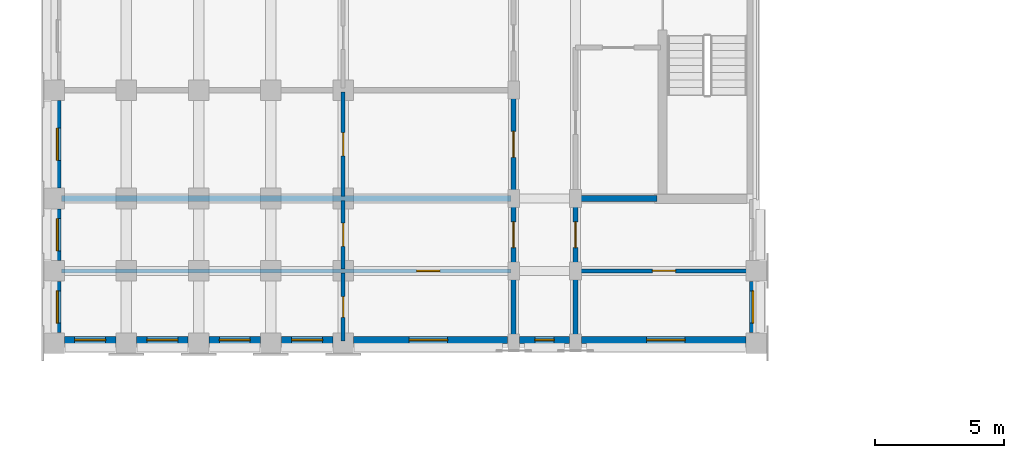
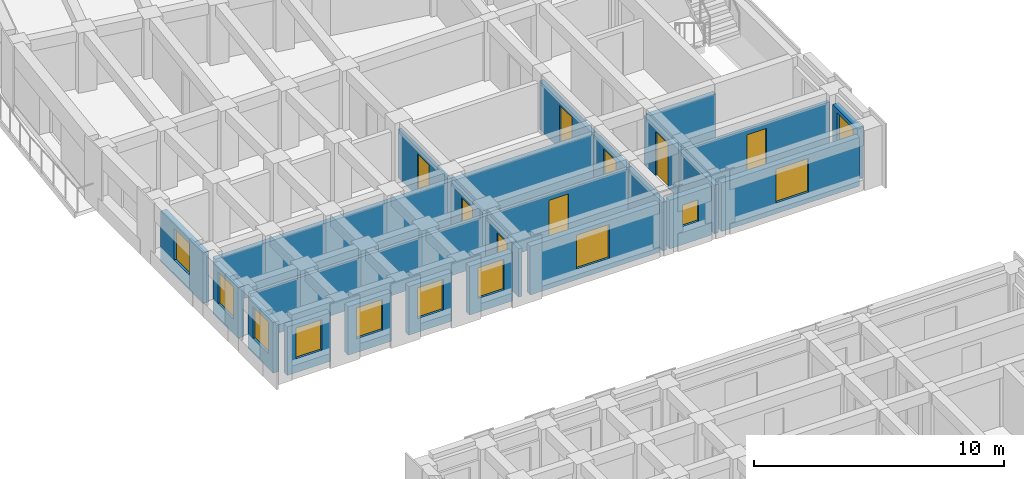
# One storey, part 22 of 54: 23 walls, 11 windows, 8 doors, 19 openings.
"""IFC4 building model written with IfcOpenShell, lengths in metres."""

from ifc_helpers import new_model, si_unit, direction, frame, frame_2d, origin, place, context, subcontext, project, spatial, rectangle, extrude, material, layer, layer_set, type_object, element, fill, save


model = new_model("IFC4")

# Units and contexts
model_context = context("Model", 3, precision=1e-05, world=origin(), true_north=direction((0.0, 1.0)))
body_context = subcontext(model_context, "Body", "Model", "MODEL_VIEW")
ifc_project = project(units=[si_unit("LENGTHUNIT", "METRE"), si_unit("AREAUNIT", "SQUARE_METRE"), si_unit("VOLUMEUNIT", "CUBIC_METRE"), si_unit("PLANEANGLEUNIT", "RADIAN"), si_unit("MASSUNIT", "GRAM", prefix="KILO")], contexts=[model_context])

# Site, building, storey
site_placement = place(None, origin())
site = spatial("IfcSite", under=ifc_project, at=site_placement, CompositionType="ELEMENT")
building_placement = place(site_placement, origin())
building = spatial("IfcBuilding", under=site, at=building_placement, Name="Kiranvali Square Residences", CompositionType="ELEMENT")
storey_placement = place(building_placement, frame((0.0, 0.0, 11.85009765625)))
storey = spatial("IfcBuildingStorey", under=building, at=storey_placement, Name="L03", CompositionType="ELEMENT", Elevation=11.85009765625)

# Wall, opening, door
ifc_material_1 = material(Name="Autoclaved aerated concrete blockwork masonry", Category="masonry")
ifc_layer_1 = layer(ifc_material_1, 0.199951171875)
ifc_layer_set_1 = layer_set([ifc_layer_1], Name="Autoclaved aerated concrete blockwork masonry")
wall_type_1 = type_object("IfcWallType", Name="WL-COR-200", PredefinedType="STANDARD", material=ifc_layer_set_1)
wall_1_placement = place(storey_placement, frame((20.0, 83.60009765625, 0.0), z_axis=(0.0, 0.0, 1.0), x_axis=(0.0, -1.0, 0.0)))
wall_1 = element("IfcWall", 1, at=wall_1_placement, inside=storey, type_object=wall_type_1, Name="L03 architectural wall WL-L03-A-A2CF-C1", PredefinedType="STANDARD", context=body_context, shape_type="SweptSolid", body=[
    extrude(rectangle(XDim=4.2001953125, YDim=0.199951171875, at=frame_2d((2.10009765625, 0.0))), origin(), (0.0, 0.0, 1.0), 2.371826171875),
])
opening_1_placement = place(wall_1_placement, frame((1.60009765625, 0.0, 0.0)))
opening_1 = element("IfcOpeningElement", 2, at=opening_1_placement, cuts=wall_1, Name="Opening FD-APT-60", PredefinedType="OPENING", context=body_context, shape_type="SweptSolid", body=[
    extrude(rectangle(XDim=1.0, YDim=2.14990234375, at=frame_2d((0.5, 1.074951171875))), frame((0.0, 0.10986328125, 0.0), z_axis=(0.0, -1.0, 0.0), x_axis=(1.0, 0.0, 0.0)), (0.0, 0.0, 1.0), 0.219970703125),
])
ifc_material_2 = material(Name="Fire-rated acoustic hardwood and mineral-core door assembly", Category="wood")
door_type_1 = type_object("IfcDoorType", Name="DR-APT-1000", OperationType="NOTDEFINED", PredefinedType="DOOR", material=ifc_material_2)
door_1_placement = place(opening_1_placement, origin())
door_1 = element("IfcDoor", 3, at=door_1_placement, inside=storey, type_object=door_type_1, Name="L03 door DR-L03-0267 (DR-APT-1000)", OperationType="SINGLE_SWING_LEFT", OverallHeight=2.14990234375, OverallWidth=1.0, PredefinedType="DOOR", context=body_context, shape_type="SweptSolid", body=[
    extrude(rectangle(XDim=1.0, YDim=2.14990234375, at=frame_2d((0.5, 1.074951171875))), frame((0.0, 0.02490234375, 0.0), z_axis=(0.0, -1.0, 0.0), x_axis=(1.0, 0.0, 0.0)), (0.0, 0.0, 1.0), 0.050048828125),
])
fill(opening_1, door_1)

wall_2_placement = place(storey_placement, frame((22.39990234375, 79.39990234375, 0.0), z_axis=(0.0, 0.0, 1.0), x_axis=(0.0, -1.0, 0.0)))
wall_2 = element("IfcWall", 4, at=wall_2_placement, inside=storey, type_object=wall_type_1, Name="L03 architectural wall WL-L03-A-A2CI-0", PredefinedType="STANDARD", context=body_context, shape_type="SweptSolid", body=[
    extrude(rectangle(XDim=2.7998046875, YDim=0.199951171875, at=frame_2d((1.39990234375, 0.0))), origin(), (0.0, 0.0, 1.0), 2.371826171875),
])
opening_2_placement = place(wall_2_placement, frame((0.89990234375, 0.0, 0.0)))
opening_2 = element("IfcOpeningElement", 5, at=opening_2_placement, cuts=wall_2, Name="Opening FD-APT-60", PredefinedType="OPENING", context=body_context, shape_type="SweptSolid", body=[
    extrude(rectangle(XDim=1.0, YDim=2.14990234375, at=frame_2d((0.5, 1.074951171875))), frame((0.0, 0.10986328125, 0.0), z_axis=(0.0, -1.0, 0.0), x_axis=(1.0, 0.0, 0.0)), (0.0, 0.0, 1.0), 0.219970703125),
])
door_2_placement = place(opening_2_placement, origin())
door_2 = element("IfcDoor", 6, at=door_2_placement, inside=storey, type_object=door_type_1, Name="L03 door DR-L03-0269 (DR-APT-1000)", OperationType="SINGLE_SWING_LEFT", OverallHeight=2.14990234375, OverallWidth=1.0, PredefinedType="DOOR", context=body_context, shape_type="SweptSolid", body=[
    extrude(rectangle(XDim=1.0, YDim=2.14990234375, at=frame_2d((0.5, 1.074951171875))), frame((0.0, 0.02490234375, 0.0), z_axis=(0.0, -1.0, 0.0), x_axis=(1.0, 0.0, 0.0)), (0.0, 0.0, 1.0), 0.050048828125),
])
fill(opening_2, door_2)

wall_3_placement = place(storey_placement, frame((20.0, 79.39990234375, 0.0), z_axis=(0.0, 0.0, 1.0), x_axis=(0.0, -1.0, 0.0)))
wall_3 = element("IfcWall", 7, at=wall_3_placement, inside=storey, type_object=wall_type_1, Name="L03 architectural wall WL-L03-A-A2CO-0", PredefinedType="STANDARD", context=body_context, shape_type="SweptSolid", body=[
    extrude(rectangle(XDim=2.7998046875, YDim=0.199951171875, at=frame_2d((1.39990234375, 0.0))), origin(), (0.0, 0.0, 1.0), 2.371826171875),
])
opening_3_placement = place(wall_3_placement, frame((0.89990234375, 0.0, 0.0)))
opening_3 = element("IfcOpeningElement", 8, at=opening_3_placement, cuts=wall_3, Name="Opening FD-APT-60", PredefinedType="OPENING", context=body_context, shape_type="SweptSolid", body=[
    extrude(rectangle(XDim=1.0, YDim=2.14990234375, at=frame_2d((0.5, 1.074951171875))), frame((0.0, 0.10986328125, 0.0), z_axis=(0.0, -1.0, 0.0), x_axis=(1.0, 0.0, 0.0)), (0.0, 0.0, 1.0), 0.219970703125),
])
door_3_placement = place(opening_3_placement, origin())
door_3 = element("IfcDoor", 9, at=door_3_placement, inside=storey, type_object=door_type_1, Name="L03 door DR-L03-0271 (DR-APT-1000)", OperationType="SINGLE_SWING_LEFT", OverallHeight=2.14990234375, OverallWidth=1.0, PredefinedType="DOOR", context=body_context, shape_type="SweptSolid", body=[
    extrude(rectangle(XDim=1.0, YDim=2.14990234375, at=frame_2d((0.5, 1.074951171875))), frame((0.0, 0.02490234375, 0.0), z_axis=(0.0, -1.0, 0.0), x_axis=(1.0, 0.0, 0.0)), (0.0, 0.0, 1.0), 0.050048828125),
])
fill(opening_3, door_3)

# Walls
for number, where, z_axis, x_axis, name in (
    (10, (22.39990234375, 76.60009765625, 0.0), (0.0, 0.0, 1.0), (0.0, -1.0, 0.0), "L03 architectural wall WL-L03-A-A2CI-1"),
    (11, (20.0, 76.60009765625, 0.0), (0.0, 0.0, 1.0), (0.0, -1.0, 0.0), "L03 architectural wall WL-L03-A-A2CO-1"),
):
    element("IfcWall", number, at=place(storey_placement, frame(where, z_axis=z_axis, x_axis=x_axis)), inside=storey, type_object=wall_type_1, Name=name, PredefinedType="STANDARD", context=body_context, shape_type="SweptSolid", body=[
        extrude(rectangle(XDim=2.800048828125, YDim=0.199951171875, at=frame_2d((1.39990234375, 0.0))), origin(), (0.0, 0.0, 1.0), 2.371826171875),
    ])
ifc_layer_2 = layer(ifc_material_1, 0.219970703125)
ifc_layer_set_2 = layer_set([ifc_layer_2], Name="Autoclaved aerated concrete blockwork masonry")
wall_type_2 = type_object("IfcWallType", Name="WL-DEM-220", PredefinedType="STANDARD", material=ifc_layer_set_2)
wall_4_placement = place(storey_placement, frame((25.550048828125, 79.39990234375, 0.0), z_axis=(0.0, 0.0, 1.0), x_axis=(-1.0, 0.0, 0.0)))
element("IfcWall", 12, at=wall_4_placement, inside=storey, type_object=wall_type_2, Name="L03 architectural wall WL-L03-A-A2TI-0", PredefinedType="STANDARD", context=body_context, shape_type="SweptSolid", body=[
    extrude(rectangle(XDim=3.10009765625, YDim=0.219970703125, at=frame_2d((1.550048828125, 0.0))), origin(), (0.0, 0.0, 1.0), 2.371826171875),
])
wall_5_placement = place(storey_placement, frame((19.89990234375, 79.39990234375, 0.0), z_axis=(0.0, 0.0, 1.0), x_axis=(-1.0, 0.0, 0.0)))
element("IfcWall", 13, at=wall_5_placement, inside=storey, type_object=wall_type_2, Name="L03 architectural wall WL-L03-A-A2TO-0", PredefinedType="STANDARD", context=body_context, shape_type="SweptSolid", body=[
    extrude(rectangle(XDim=17.419921875, YDim=0.219970703125, at=frame_2d((8.7099609375, 0.0))), origin(), (0.0, 0.0, 1.0), 2.371826171875),
])

# Wall, opening, window
ifc_material_3 = material(Name="Breathable lime-rendered clay brick masonry", Category="masonry")
ifc_layer_3 = layer(ifc_material_3, 0.27490234375)
ifc_layer_set_3 = layer_set([ifc_layer_3], Name="Breathable lime-rendered clay brick masonry")
wall_type_3 = type_object("IfcWallType", Name="WL-EXT-275", PredefinedType="STANDARD", material=ifc_layer_set_3)
wall_6_placement = place(storey_placement, frame((2.324951171875, 83.196533203125, 0.0), z_axis=(0.0, 0.0, 1.0), x_axis=(0.0, -1.0, 0.0)))
wall_6 = element("IfcWall", 14, at=wall_6_placement, inside=storey, type_object=wall_type_3, Name="L03 exterior wall A-L03-A2O-1", PredefinedType="STANDARD", context=body_context, shape_type="SweptSolid", body=[
    extrude(rectangle(XDim=3.39306640625, YDim=0.27490234375, at=frame_2d((1.696533203125, 0.0))), origin(), (0.0, 0.0, 1.0), 2.471923828125),
])
opening_4_placement = place(wall_6_placement, frame((1.071533203125, 0.0, 0.721923828125)))
opening_4 = element("IfcOpeningElement", 15, at=opening_4_placement, cuts=wall_6, Name="Opening W-19", PredefinedType="OPENING", context=body_context, shape_type="SweptSolid", body=[
    extrude(rectangle(XDim=1.25, YDim=1.550048828125, at=frame_2d((0.625, 0.77490234375))), frame((0.0, 0.1474609375, 0.0), z_axis=(0.0, -1.0, 0.0), x_axis=(1.0, 0.0, 0.0)), (0.0, 0.0, 1.0), 0.294921875),
])
ifc_material_4 = material(Name="Solar-control low-e double glazing", Category="glass")
window_type_1 = type_object("IfcWindowType", Name="WIN-GDN-1250x1550", PartitioningType="SINGLE_PANEL", PredefinedType="WINDOW", material=ifc_material_4)
window_1_placement = place(opening_4_placement, origin())
window_1 = element("IfcWindow", 16, at=window_1_placement, inside=storey, type_object=window_type_1, Name="L03 recessed window A-L03-A2O-1", OverallHeight=1.550048828125, OverallWidth=1.25, PartitioningType="SINGLE_PANEL", PredefinedType="WINDOW", context=body_context, shape_type="SweptSolid", body=[
    extrude(rectangle(XDim=1.25, YDim=1.550048828125, at=frame_2d((0.625, 0.77490234375))), frame((0.0, 0.030029296875, 0.0), z_axis=(0.0, -1.0, 0.0), x_axis=(1.0, 0.0, 0.0)), (0.0, 0.0, 1.0), 0.06005859375),
])
fill(opening_4, window_1)

wall_7_placement = place(storey_placement, frame((2.324951171875, 78.99658203125, 0.0), z_axis=(0.0, 0.0, 1.0), x_axis=(0.0, -1.0, 0.0)))
wall_7 = element("IfcWall", 17, at=wall_7_placement, inside=storey, type_object=wall_type_3, Name="L03 exterior wall A-L03-A2O-2", PredefinedType="STANDARD", context=body_context, shape_type="SweptSolid", body=[
    extrude(rectangle(XDim=1.9931640625, YDim=0.27490234375, at=frame_2d((0.99658203125, 0.0))), origin(), (0.0, 0.0, 1.0), 2.471923828125),
])
opening_5_placement = place(wall_7_placement, frame((0.37158203125, 0.0, 0.721923828125)))
opening_5 = element("IfcOpeningElement", 18, at=opening_5_placement, cuts=wall_7, Name="Opening W-19", PredefinedType="OPENING", context=body_context, shape_type="SweptSolid", body=[
    extrude(rectangle(XDim=1.25, YDim=1.550048828125, at=frame_2d((0.625, 0.77490234375))), frame((0.0, 0.1474609375, 0.0), z_axis=(0.0, -1.0, 0.0), x_axis=(1.0, 0.0, 0.0)), (0.0, 0.0, 1.0), 0.294921875),
])
window_2_placement = place(opening_5_placement, origin())
window_2 = element("IfcWindow", 19, at=window_2_placement, inside=storey, type_object=window_type_1, Name="L03 recessed window A-L03-A2O-2", OverallHeight=1.550048828125, OverallWidth=1.25, PartitioningType="SINGLE_PANEL", PredefinedType="WINDOW", context=body_context, shape_type="SweptSolid", body=[
    extrude(rectangle(XDim=1.25, YDim=1.550048828125, at=frame_2d((0.625, 0.77490234375))), frame((0.0, 0.030029296875, 0.0), z_axis=(0.0, -1.0, 0.0), x_axis=(1.0, 0.0, 0.0)), (0.0, 0.0, 1.0), 0.06005859375),
])
fill(opening_5, window_2)

wall_8_placement = place(storey_placement, frame((2.324951171875, 76.196533203125, 0.0), z_axis=(0.0, 0.0, 1.0), x_axis=(0.0, -1.0, 0.0)))
wall_8 = element("IfcWall", 20, at=wall_8_placement, inside=storey, type_object=wall_type_3, Name="L03 exterior wall A-L03-A2O-3", PredefinedType="STANDARD", context=body_context, shape_type="SweptSolid", body=[
    extrude(rectangle(XDim=1.992919921875, YDim=0.27490234375, at=frame_2d((0.99658203125, 0.0))), origin(), (0.0, 0.0, 1.0), 2.471923828125),
])
opening_6_placement = place(wall_8_placement, frame((0.37158203125, 0.0, 0.721923828125)))
opening_6 = element("IfcOpeningElement", 21, at=opening_6_placement, cuts=wall_8, Name="Opening W-19", PredefinedType="OPENING", context=body_context, shape_type="SweptSolid", body=[
    extrude(rectangle(XDim=1.25, YDim=1.550048828125, at=frame_2d((0.625, 0.77490234375))), frame((0.0, 0.1474609375, 0.0), z_axis=(0.0, -1.0, 0.0), x_axis=(1.0, 0.0, 0.0)), (0.0, 0.0, 1.0), 0.294921875),
])
window_3_placement = place(opening_6_placement, origin())
window_3 = element("IfcWindow", 22, at=window_3_placement, inside=storey, type_object=window_type_1, Name="L03 recessed window A-L03-A2O-3", OverallHeight=1.550048828125, OverallWidth=1.25, PartitioningType="SINGLE_PANEL", PredefinedType="WINDOW", context=body_context, shape_type="SweptSolid", body=[
    extrude(rectangle(XDim=1.25, YDim=1.550048828125, at=frame_2d((0.625, 0.77490234375))), frame((0.0, 0.030029296875, 0.0), z_axis=(0.0, -1.0, 0.0), x_axis=(1.0, 0.0, 0.0)), (0.0, 0.0, 1.0), 0.06005859375),
])
fill(opening_6, window_3)

wall_9_placement = place(storey_placement, frame((29.27490234375, 76.196533203125, 0.0), z_axis=(0.0, 0.0, 1.0), x_axis=(0.0, -1.0, 0.0)))
wall_9 = element("IfcWall", 23, at=wall_9_placement, inside=storey, type_object=wall_type_3, Name="L03 exterior wall A-L03-A2I-1", PredefinedType="STANDARD", context=body_context, shape_type="SweptSolid", body=[
    extrude(rectangle(XDim=1.992919921875, YDim=0.27490234375, at=frame_2d((0.99658203125, 0.0))), origin(), (0.0, 0.0, 1.0), 2.471923828125),
])
opening_7_placement = place(wall_9_placement, frame((0.37158203125, 0.0, 0.721923828125)))
opening_7 = element("IfcOpeningElement", 24, at=opening_7_placement, cuts=wall_9, Name="Opening W-19", PredefinedType="OPENING", context=body_context, shape_type="SweptSolid", body=[
    extrude(rectangle(XDim=1.25, YDim=1.550048828125, at=frame_2d((0.625, 0.77490234375))), frame((0.0, 0.1474609375, 0.0), z_axis=(0.0, -1.0, 0.0), x_axis=(1.0, 0.0, 0.0)), (0.0, 0.0, 1.0), 0.294921875),
])
window_4_placement = place(opening_7_placement, origin())
window_4 = element("IfcWindow", 25, at=window_4_placement, inside=storey, type_object=window_type_1, Name="L03 recessed window A-L03-A2I-1", OverallHeight=1.550048828125, OverallWidth=1.25, PartitioningType="SINGLE_PANEL", PredefinedType="WINDOW", context=body_context, shape_type="SweptSolid", body=[
    extrude(rectangle(XDim=1.25, YDim=1.550048828125, at=frame_2d((0.625, 0.77490234375))), frame((0.0, 0.030029296875, 0.0), z_axis=(0.0, -1.0, 0.0), x_axis=(1.0, 0.0, 0.0)), (0.0, 0.0, 1.0), 0.06005859375),
])
fill(opening_7, window_4)

wall_10_placement = place(storey_placement, frame((28.99658203125, 73.925048828125, 0.0), z_axis=(0.0, 0.0, 1.0), x_axis=(-1.0, 0.0, 0.0)))
wall_10 = element("IfcWall", 26, at=wall_10_placement, inside=storey, type_object=wall_type_3, Name="L03 exterior wall A-L03-A2END-0", PredefinedType="STANDARD", context=body_context, shape_type="SweptSolid", body=[
    extrude(rectangle(XDim=6.3681640625, YDim=0.27490234375, at=frame_2d((3.18408203125, 0.0))), origin(), (0.0, 0.0, 1.0), 2.371826171875),
])
opening_8_placement = place(wall_10_placement, frame((2.346435546875, 0.0, 0.52197265625)))
opening_8 = element("IfcOpeningElement", 27, at=opening_8_placement, cuts=wall_10, Name="Opening W-05", PredefinedType="OPENING", context=body_context, shape_type="SweptSolid", body=[
    extrude(rectangle(XDim=1.5, YDim=1.64990234375, at=frame_2d((0.75, 0.824951171875))), frame((0.0, 0.1474609375, 0.0), z_axis=(0.0, -1.0, 0.0), x_axis=(1.0, 0.0, 0.0)), (0.0, 0.0, 1.0), 0.294921875),
])
window_type_2 = type_object("IfcWindowType", Name="WIN-RES-1500x1650", PartitioningType="DOUBLE_PANEL_VERTICAL", PredefinedType="WINDOW", material=ifc_material_4)
window_5_placement = place(opening_8_placement, origin())
window_5 = element("IfcWindow", 28, at=window_5_placement, inside=storey, type_object=window_type_2, Name="L03 recessed window A-L03-A2END-0", OverallHeight=1.64990234375, OverallWidth=1.5, PartitioningType="DOUBLE_PANEL_VERTICAL", PredefinedType="WINDOW", context=body_context, shape_type="SweptSolid", body=[
    extrude(rectangle(XDim=1.5, YDim=1.64990234375, at=frame_2d((0.75, 0.824951171875))), frame((0.0, 0.030029296875, 0.0), z_axis=(0.0, -1.0, 0.0), x_axis=(1.0, 0.0, 0.0)), (0.0, 0.0, 1.0), 0.06005859375),
])
fill(opening_8, window_5)

wall_11_placement = place(storey_placement, frame((22.17138671875, 73.925048828125, 0.0), z_axis=(0.0, 0.0, 1.0), x_axis=(-1.0, 0.0, 0.0)))
wall_11 = element("IfcWall", 29, at=wall_11_placement, inside=storey, type_object=wall_type_3, Name="L03 exterior wall A-L03-A2END-1", PredefinedType="STANDARD", context=body_context, shape_type="SweptSolid", body=[
    extrude(rectangle(XDim=1.94287109375, YDim=0.27490234375, at=frame_2d((0.971435546875, 0.0))), origin(), (0.0, 0.0, 1.0), 2.371826171875),
])
opening_9_placement = place(wall_11_placement, frame((0.596435546875, 0.0, 0.8798828125)))
opening_9 = element("IfcOpeningElement", 30, at=opening_9_placement, cuts=wall_11, Name="Opening W-07", PredefinedType="OPENING", context=body_context, shape_type="SweptSolid", body=[
    extrude(rectangle(XDim=0.75, YDim=1.050048828125, at=frame_2d((0.375, 0.52490234375))), frame((0.0, 0.1474609375, 0.0), z_axis=(0.0, -1.0, 0.0), x_axis=(1.0, 0.0, 0.0)), (0.0, 0.0, 1.0), 0.294921875),
])
window_type_3 = type_object("IfcWindowType", Name="WIN-WET-750x1050", PartitioningType="SINGLE_PANEL", PredefinedType="WINDOW", material=ifc_material_4)
window_6_placement = place(opening_9_placement, origin())
window_6 = element("IfcWindow", 31, at=window_6_placement, inside=storey, type_object=window_type_3, Name="L03 recessed window A-L03-A2END-1", OverallHeight=1.050048828125, OverallWidth=0.75, PartitioningType="SINGLE_PANEL", PredefinedType="WINDOW", context=body_context, shape_type="SweptSolid", body=[
    extrude(rectangle(XDim=0.75, YDim=1.050048828125, at=frame_2d((0.375, 0.52490234375))), frame((0.0, 0.030029296875, 0.0), z_axis=(0.0, -1.0, 0.0), x_axis=(1.0, 0.0, 0.0)), (0.0, 0.0, 1.0), 0.06005859375),
])
fill(opening_9, window_6)

wall_12_placement = place(storey_placement, frame((19.771484375, 73.925048828125, 0.0), z_axis=(0.0, 0.0, 1.0), x_axis=(-1.0, 0.0, 0.0)))
wall_12 = element("IfcWall", 32, at=wall_12_placement, inside=storey, type_object=wall_type_3, Name="L03 exterior wall A-L03-A2END-2", PredefinedType="STANDARD", context=body_context, shape_type="SweptSolid", body=[
    extrude(rectangle(XDim=5.968017578125, YDim=0.27490234375, at=frame_2d((2.98388671875, 0.0))), origin(), (0.0, 0.0, 1.0), 2.371826171875),
])
opening_10_placement = place(wall_12_placement, frame((2.321533203125, 0.0, 0.52197265625)))
opening_10 = element("IfcOpeningElement", 33, at=opening_10_placement, cuts=wall_12, Name="Opening W-05", PredefinedType="OPENING", context=body_context, shape_type="SweptSolid", body=[
    extrude(rectangle(XDim=1.5, YDim=1.64990234375, at=frame_2d((0.75, 0.824951171875))), frame((0.0, 0.1474609375, 0.0), z_axis=(0.0, -1.0, 0.0), x_axis=(1.0, 0.0, 0.0)), (0.0, 0.0, 1.0), 0.294921875),
])
window_7_placement = place(opening_10_placement, origin())
window_7 = element("IfcWindow", 34, at=window_7_placement, inside=storey, type_object=window_type_2, Name="L03 recessed window A-L03-A2END-2", OverallHeight=1.64990234375, OverallWidth=1.5, PartitioningType="DOUBLE_PANEL_VERTICAL", PredefinedType="WINDOW", context=body_context, shape_type="SweptSolid", body=[
    extrude(rectangle(XDim=1.5, YDim=1.64990234375, at=frame_2d((0.75, 0.824951171875))), frame((0.0, 0.030029296875, 0.0), z_axis=(0.0, -1.0, 0.0), x_axis=(1.0, 0.0, 0.0)), (0.0, 0.0, 1.0), 0.06005859375),
])
fill(opening_10, window_7)

wall_13_placement = place(storey_placement, frame((12.99658203125, 73.925048828125, 0.0), z_axis=(0.0, 0.0, 1.0), x_axis=(-1.0, 0.0, 0.0)))
wall_13 = element("IfcWall", 35, at=wall_13_placement, inside=storey, type_object=wall_type_3, Name="L03 exterior wall A-L03-A2END-3", PredefinedType="STANDARD", context=body_context, shape_type="SweptSolid", body=[
    extrude(rectangle(XDim=1.9931640625, YDim=0.27490234375, at=frame_2d((0.99658203125, 0.0))), origin(), (0.0, 0.0, 1.0), 2.371826171875),
])
opening_11_placement = place(wall_13_placement, frame((0.396484375, 0.0, 0.672119140625)))
opening_11 = element("IfcOpeningElement", 36, at=opening_11_placement, cuts=wall_13, Name="Opening W-06", PredefinedType="OPENING", context=body_context, shape_type="SweptSolid", body=[
    extrude(rectangle(XDim=1.199951171875, YDim=1.5, at=frame_2d((0.60009765625, 0.75))), frame((0.0, 0.1474609375, 0.0), z_axis=(0.0, -1.0, 0.0), x_axis=(1.0, 0.0, 0.0)), (0.0, 0.0, 1.0), 0.294921875),
])
window_type_4 = type_object("IfcWindowType", Name="WIN-RES-1200x1500", PartitioningType="SINGLE_PANEL", PredefinedType="WINDOW", material=ifc_material_4)
window_8_placement = place(opening_11_placement, origin())
window_8 = element("IfcWindow", 37, at=window_8_placement, inside=storey, type_object=window_type_4, Name="L03 recessed window A-L03-A2END-3", OverallHeight=1.5, OverallWidth=1.199951171875, PartitioningType="SINGLE_PANEL", PredefinedType="WINDOW", context=body_context, shape_type="SweptSolid", body=[
    extrude(rectangle(XDim=1.199951171875, YDim=1.5, at=frame_2d((0.60009765625, 0.75))), frame((0.0, 0.030029296875, 0.0), z_axis=(0.0, -1.0, 0.0), x_axis=(1.0, 0.0, 0.0)), (0.0, 0.0, 1.0), 0.06005859375),
])
fill(opening_11, window_8)

wall_14_placement = place(storey_placement, frame((10.196533203125, 73.925048828125, 0.0), z_axis=(0.0, 0.0, 1.0), x_axis=(-1.0, 0.0, 0.0)))
wall_14 = element("IfcWall", 38, at=wall_14_placement, inside=storey, type_object=wall_type_3, Name="L03 exterior wall A-L03-A2END-4", PredefinedType="STANDARD", context=body_context, shape_type="SweptSolid", body=[
    extrude(rectangle(XDim=1.992919921875, YDim=0.27490234375, at=frame_2d((0.99658203125, 0.0))), origin(), (0.0, 0.0, 1.0), 2.371826171875),
])
opening_12_placement = place(wall_14_placement, frame((0.396484375, 0.0, 0.672119140625)))
opening_12 = element("IfcOpeningElement", 39, at=opening_12_placement, cuts=wall_14, Name="Opening W-06", PredefinedType="OPENING", context=body_context, shape_type="SweptSolid", body=[
    extrude(rectangle(XDim=1.199951171875, YDim=1.5, at=frame_2d((0.60009765625, 0.75))), frame((0.0, 0.1474609375, 0.0), z_axis=(0.0, -1.0, 0.0), x_axis=(1.0, 0.0, 0.0)), (0.0, 0.0, 1.0), 0.294921875),
])
window_9_placement = place(opening_12_placement, origin())
window_9 = element("IfcWindow", 40, at=window_9_placement, inside=storey, type_object=window_type_4, Name="L03 recessed window A-L03-A2END-4", OverallHeight=1.5, OverallWidth=1.199951171875, PartitioningType="SINGLE_PANEL", PredefinedType="WINDOW", context=body_context, shape_type="SweptSolid", body=[
    extrude(rectangle(XDim=1.199951171875, YDim=1.5, at=frame_2d((0.60009765625, 0.75))), frame((0.0, 0.030029296875, 0.0), z_axis=(0.0, -1.0, 0.0), x_axis=(1.0, 0.0, 0.0)), (0.0, 0.0, 1.0), 0.06005859375),
])
fill(opening_12, window_9)

wall_15_placement = place(storey_placement, frame((7.396484375, 73.925048828125, 0.0), z_axis=(0.0, 0.0, 1.0), x_axis=(-1.0, 0.0, 0.0)))
wall_15 = element("IfcWall", 41, at=wall_15_placement, inside=storey, type_object=wall_type_3, Name="L03 exterior wall A-L03-A2END-5", PredefinedType="STANDARD", context=body_context, shape_type="SweptSolid", body=[
    extrude(rectangle(XDim=1.992919921875, YDim=0.27490234375, at=frame_2d((0.99658203125, 0.0))), origin(), (0.0, 0.0, 1.0), 2.371826171875),
])
opening_13_placement = place(wall_15_placement, frame((0.396484375, 0.0, 0.672119140625)))
opening_13 = element("IfcOpeningElement", 42, at=opening_13_placement, cuts=wall_15, Name="Opening W-06", PredefinedType="OPENING", context=body_context, shape_type="SweptSolid", body=[
    extrude(rectangle(XDim=1.199951171875, YDim=1.5, at=frame_2d((0.60009765625, 0.75))), frame((0.0, 0.1474609375, 0.0), z_axis=(0.0, -1.0, 0.0), x_axis=(1.0, 0.0, 0.0)), (0.0, 0.0, 1.0), 0.294921875),
])
window_10_placement = place(opening_13_placement, origin())
window_10 = element("IfcWindow", 43, at=window_10_placement, inside=storey, type_object=window_type_4, Name="L03 recessed window A-L03-A2END-5", OverallHeight=1.5, OverallWidth=1.199951171875, PartitioningType="SINGLE_PANEL", PredefinedType="WINDOW", context=body_context, shape_type="SweptSolid", body=[
    extrude(rectangle(XDim=1.199951171875, YDim=1.5, at=frame_2d((0.60009765625, 0.75))), frame((0.0, 0.030029296875, 0.0), z_axis=(0.0, -1.0, 0.0), x_axis=(1.0, 0.0, 0.0)), (0.0, 0.0, 1.0), 0.06005859375),
])
fill(opening_13, window_10)

wall_16_placement = place(storey_placement, frame((4.596435546875, 73.925048828125, 0.0), z_axis=(0.0, 0.0, 1.0), x_axis=(-1.0, 0.0, 0.0)))
wall_16 = element("IfcWall", 44, at=wall_16_placement, inside=storey, type_object=wall_type_3, Name="L03 exterior wall A-L03-A2END-6", PredefinedType="STANDARD", context=body_context, shape_type="SweptSolid", body=[
    extrude(rectangle(XDim=1.992919921875, YDim=0.27490234375, at=frame_2d((0.99658203125, 0.0))), origin(), (0.0, 0.0, 1.0), 2.371826171875),
])
opening_14_placement = place(wall_16_placement, frame((0.396484375, 0.0, 0.672119140625)))
opening_14 = element("IfcOpeningElement", 45, at=opening_14_placement, cuts=wall_16, Name="Opening W-06", PredefinedType="OPENING", context=body_context, shape_type="SweptSolid", body=[
    extrude(rectangle(XDim=1.199951171875, YDim=1.5, at=frame_2d((0.60009765625, 0.75))), frame((0.0, 0.1474609375, 0.0), z_axis=(0.0, -1.0, 0.0), x_axis=(1.0, 0.0, 0.0)), (0.0, 0.0, 1.0), 0.294921875),
])
window_11_placement = place(opening_14_placement, origin())
window_11 = element("IfcWindow", 46, at=window_11_placement, inside=storey, type_object=window_type_4, Name="L03 recessed window A-L03-A2END-6", OverallHeight=1.5, OverallWidth=1.199951171875, PartitioningType="SINGLE_PANEL", PredefinedType="WINDOW", context=body_context, shape_type="SweptSolid", body=[
    extrude(rectangle(XDim=1.199951171875, YDim=1.5, at=frame_2d((0.60009765625, 0.75))), frame((0.0, 0.030029296875, 0.0), z_axis=(0.0, -1.0, 0.0), x_axis=(1.0, 0.0, 0.0)), (0.0, 0.0, 1.0), 0.06005859375),
])
fill(opening_14, window_11)

# Wall, opening, door
ifc_material_5 = material(Name="Acoustic gypsum board drylined partition", Category="gypsum")
ifc_layer_4 = layer(ifc_material_5, 0.14990234375)
ifc_layer_set_4 = layer_set([ifc_layer_4], Name="Acoustic gypsum board drylined partition")
wall_type_4 = type_object("IfcWallType", Name="WL-PRT-150", PredefinedType="PARTITIONING", material=ifc_layer_set_4)
wall_17_placement = place(storey_placement, frame((13.39990234375, 83.52001953125, 0.0), z_axis=(0.0, 0.0, 1.0), x_axis=(0.0, -1.0, 0.0)))
wall_17 = element("IfcWall", 47, at=wall_17_placement, inside=storey, type_object=wall_type_4, Name="L03 architectural wall WL-L03-A-A2CF-SP1", PredefinedType="PARTITIONING", context=body_context, shape_type="SweptSolid", body=[
    extrude(rectangle(XDim=4.0400390625, YDim=0.14990234375, at=frame_2d((2.02001953125, 0.0))), origin(), (0.0, 0.0, 1.0), 2.371826171875),
])
opening_15_placement = place(wall_17_placement, frame((1.570068359375, 0.0, 0.0)))
opening_15 = element("IfcOpeningElement", 48, at=opening_15_placement, cuts=wall_17, Name="Opening ID-1", PredefinedType="OPENING", context=body_context, shape_type="SweptSolid", body=[
    extrude(rectangle(XDim=0.89990234375, YDim=2.10009765625, at=frame_2d((0.449951171875, 1.050048828125))), frame((0.0, 0.0849609375, 0.0), z_axis=(0.0, -1.0, 0.0), x_axis=(1.0, 0.0, 0.0)), (0.0, 0.0, 1.0), 0.169921875),
])
ifc_material_6 = material(Name="Solid seasoned teak hardwood joinery", Category="wood")
door_type_2 = type_object("IfcDoorType", Name="DR-INT-900", OperationType="NOTDEFINED", PredefinedType="DOOR", material=ifc_material_6)
door_4_placement = place(opening_15_placement, frame((0.89990234375, 0.0, 0.0), z_axis=(0.0, 0.0, 1.0), x_axis=(-1.0, 0.0, 0.0)))
door_4 = element("IfcDoor", 49, at=door_4_placement, inside=storey, type_object=door_type_2, Name="L03 door DR-L03-0268 (DR-INT-900)", OperationType="SINGLE_SWING_RIGHT", OverallHeight=2.10009765625, OverallWidth=0.89990234375, PredefinedType="DOOR", context=body_context, shape_type="SweptSolid", body=[
    extrude(rectangle(XDim=0.89990234375, YDim=2.10009765625, at=frame_2d((0.449951171875, 1.050048828125))), frame((0.0, 0.02490234375, 0.0), z_axis=(0.0, -1.0, 0.0), x_axis=(1.0, 0.0, 0.0)), (0.0, 0.0, 1.0), 0.050048828125),
])
fill(opening_15, door_4)

wall_18_placement = place(storey_placement, frame((29.199951171875, 76.60009765625, 0.0), z_axis=(0.0, 0.0, 1.0), x_axis=(-1.0, 0.0, 0.0)))
wall_18 = element("IfcWall", 50, at=wall_18_placement, inside=storey, type_object=wall_type_4, Name="L03 architectural wall WL-L03-A-A2TI-1", PredefinedType="PARTITIONING", context=body_context, shape_type="SweptSolid", body=[
    extrude(rectangle(XDim=6.75, YDim=0.14990234375, at=frame_2d((3.375, 0.0))), origin(), (0.0, 0.0, 1.0), 2.371826171875),
])
opening_16_placement = place(wall_18_placement, frame((2.925048828125, 0.0, 0.0)))
opening_16 = element("IfcOpeningElement", 51, at=opening_16_placement, cuts=wall_18, Name="Opening ID-1", PredefinedType="OPENING", context=body_context, shape_type="SweptSolid", body=[
    extrude(rectangle(XDim=0.89990234375, YDim=2.10009765625, at=frame_2d((0.449951171875, 1.050048828125))), frame((0.0, 0.0849609375, 0.0), z_axis=(0.0, -1.0, 0.0), x_axis=(1.0, 0.0, 0.0)), (0.0, 0.0, 1.0), 0.169921875),
])
door_5_placement = place(opening_16_placement, origin())
door_5 = element("IfcDoor", 52, at=door_5_placement, inside=storey, type_object=door_type_2, Name="L03 door DR-L03-0273 (DR-INT-900)", OperationType="SINGLE_SWING_LEFT", OverallHeight=2.10009765625, OverallWidth=0.89990234375, PredefinedType="DOOR", context=body_context, shape_type="SweptSolid", body=[
    extrude(rectangle(XDim=0.89990234375, YDim=2.10009765625, at=frame_2d((0.449951171875, 1.050048828125))), frame((0.0, 0.02490234375, 0.0), z_axis=(0.0, -1.0, 0.0), x_axis=(1.0, 0.0, 0.0)), (0.0, 0.0, 1.0), 0.050048828125),
])
fill(opening_16, door_5)

wall_19_placement = place(storey_placement, frame((19.89990234375, 76.60009765625, 0.0), z_axis=(0.0, 0.0, 1.0), x_axis=(-1.0, 0.0, 0.0)))
wall_19 = element("IfcWall", 53, at=wall_19_placement, inside=storey, type_object=wall_type_4, Name="L03 architectural wall WL-L03-A-A2TO-1", PredefinedType="PARTITIONING", context=body_context, shape_type="SweptSolid", body=[
    extrude(rectangle(XDim=17.419921875, YDim=0.14990234375, at=frame_2d((8.7099609375, 0.0))), origin(), (0.0, 0.0, 1.0), 2.371826171875),
])
opening_17_placement = place(wall_19_placement, frame((2.75, 0.0, 0.0)))
opening_17 = element("IfcOpeningElement", 54, at=opening_17_placement, cuts=wall_19, Name="Opening ID-1", PredefinedType="OPENING", context=body_context, shape_type="SweptSolid", body=[
    extrude(rectangle(XDim=0.89990234375, YDim=2.10009765625, at=frame_2d((0.449951171875, 1.050048828125))), frame((0.0, 0.0849609375, 0.0), z_axis=(0.0, -1.0, 0.0), x_axis=(1.0, 0.0, 0.0)), (0.0, 0.0, 1.0), 0.169921875),
])
door_6_placement = place(opening_17_placement, frame((0.89990234375, 0.0, 0.0), z_axis=(0.0, 0.0, 1.0), x_axis=(-1.0, 0.0, 0.0)))
door_6 = element("IfcDoor", 55, at=door_6_placement, inside=storey, type_object=door_type_2, Name="L03 door DR-L03-0274 (DR-INT-900)", OperationType="SINGLE_SWING_RIGHT", OverallHeight=2.10009765625, OverallWidth=0.89990234375, PredefinedType="DOOR", context=body_context, shape_type="SweptSolid", body=[
    extrude(rectangle(XDim=0.89990234375, YDim=2.10009765625, at=frame_2d((0.449951171875, 1.050048828125))), frame((0.0, 0.02490234375, 0.0), z_axis=(0.0, -1.0, 0.0), x_axis=(1.0, 0.0, 0.0)), (0.0, 0.0, 1.0), 0.050048828125),
])
fill(opening_17, door_6)

ifc_layer_5 = layer(ifc_material_1, 0.14990234375)
ifc_layer_set_5 = layer_set([ifc_layer_5], Name="Autoclaved aerated concrete blockwork masonry")
wall_type_5 = type_object("IfcWallType", Name="WL-WET-150", PredefinedType="PLUMBINGWALL", material=ifc_layer_set_5)
wall_20_placement = place(storey_placement, frame((13.39990234375, 79.320068359375, 0.0), z_axis=(0.0, 0.0, 1.0), x_axis=(0.0, -1.0, 0.0)))
wall_20 = element("IfcWall", 56, at=wall_20_placement, inside=storey, type_object=wall_type_5, Name="L03 architectural wall WL-L03-A-A2SP-0", PredefinedType="PLUMBINGWALL", context=body_context, shape_type="SweptSolid", body=[
    extrude(rectangle(XDim=2.64013671875, YDim=0.14990234375, at=frame_2d((1.320068359375, 0.0))), origin(), (0.0, 0.0, 1.0), 2.371826171875),
])
opening_18_placement = place(wall_20_placement, frame((0.8701171875, 0.0, 0.0)))
opening_18 = element("IfcOpeningElement", 57, at=opening_18_placement, cuts=wall_20, Name="Opening ID-1", PredefinedType="OPENING", context=body_context, shape_type="SweptSolid", body=[
    extrude(rectangle(XDim=0.89990234375, YDim=2.10009765625, at=frame_2d((0.449951171875, 1.050048828125))), frame((0.0, 0.0849609375, 0.0), z_axis=(0.0, -1.0, 0.0), x_axis=(1.0, 0.0, 0.0)), (0.0, 0.0, 1.0), 0.169921875),
])
door_7_placement = place(opening_18_placement, frame((0.89990234375, 0.0, 0.0), z_axis=(0.0, 0.0, 1.0), x_axis=(-1.0, 0.0, 0.0)))
door_7 = element("IfcDoor", 58, at=door_7_placement, inside=storey, type_object=door_type_2, Name="L03 door DR-L03-0270 (DR-INT-900)", OperationType="SINGLE_SWING_RIGHT", OverallHeight=2.10009765625, OverallWidth=0.89990234375, PredefinedType="DOOR", context=body_context, shape_type="SweptSolid", body=[
    extrude(rectangle(XDim=0.89990234375, YDim=2.10009765625, at=frame_2d((0.449951171875, 1.050048828125))), frame((0.0, 0.02490234375, 0.0), z_axis=(0.0, -1.0, 0.0), x_axis=(1.0, 0.0, 0.0)), (0.0, 0.0, 1.0), 0.050048828125),
])
fill(opening_18, door_7)

wall_21_placement = place(storey_placement, frame((13.39990234375, 76.52001953125, 0.0), z_axis=(0.0, 0.0, 1.0), x_axis=(0.0, -1.0, 0.0)))
wall_21 = element("IfcWall", 59, at=wall_21_placement, inside=storey, type_object=wall_type_5, Name="L03 architectural wall WL-L03-A-A2SP-1", PredefinedType="PLUMBINGWALL", context=body_context, shape_type="SweptSolid", body=[
    extrude(rectangle(XDim=2.64013671875, YDim=0.14990234375, at=frame_2d((1.320068359375, 0.0))), origin(), (0.0, 0.0, 1.0), 2.371826171875),
])
opening_19_placement = place(wall_21_placement, frame((0.919921875, 0.0, 0.0)))
opening_19 = element("IfcOpeningElement", 60, at=opening_19_placement, cuts=wall_21, Name="Opening ID-WET", PredefinedType="OPENING", context=body_context, shape_type="SweptSolid", body=[
    extrude(rectangle(XDim=0.800048828125, YDim=2.10009765625, at=frame_2d((0.39990234375, 1.050048828125))), frame((0.0, 0.0849609375, 0.0), z_axis=(0.0, -1.0, 0.0), x_axis=(1.0, 0.0, 0.0)), (0.0, 0.0, 1.0), 0.169921875),
])
door_type_3 = type_object("IfcDoorType", Name="DR-WET-800", OperationType="NOTDEFINED", PredefinedType="DOOR", material=ifc_material_6)
door_8_placement = place(opening_19_placement, frame((0.800048828125, 0.0, 0.0), z_axis=(0.0, 0.0, 1.0), x_axis=(-1.0, 0.0, 0.0)))
door_8 = element("IfcDoor", 61, at=door_8_placement, inside=storey, type_object=door_type_3, Name="L03 door DR-L03-0272 (DR-WET-800)", OperationType="SINGLE_SWING_RIGHT", OverallHeight=2.10009765625, OverallWidth=0.800048828125, PredefinedType="DOOR", context=body_context, shape_type="SweptSolid", body=[
    extrude(rectangle(XDim=0.800048828125, YDim=2.10009765625, at=frame_2d((0.39990234375, 1.050048828125))), frame((0.0, 0.02490234375, 0.0), z_axis=(0.0, -1.0, 0.0), x_axis=(1.0, 0.0, 0.0)), (0.0, 0.0, 1.0), 0.050048828125),
])
fill(opening_19, door_8)

save(model, "model.ifc")
